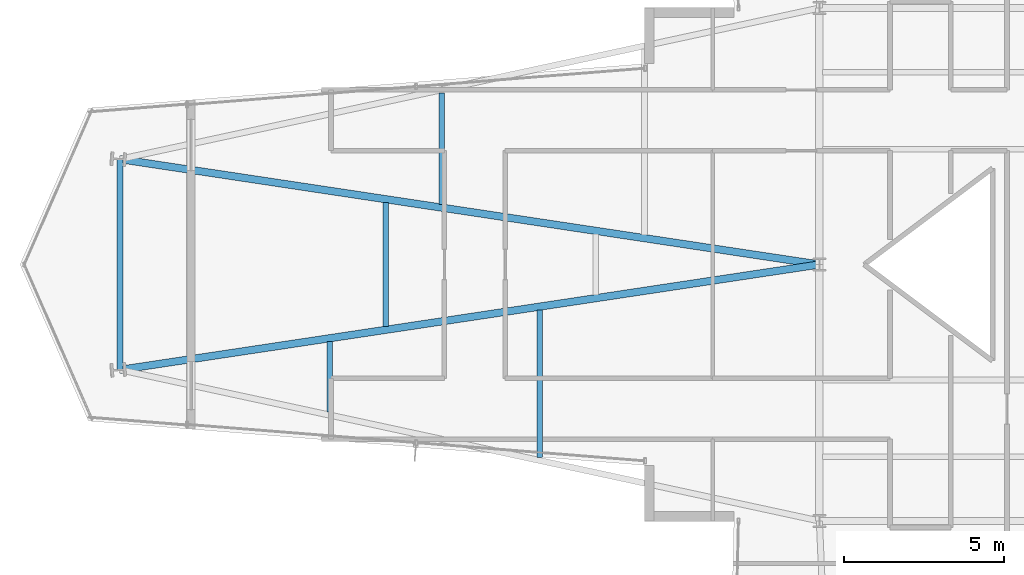
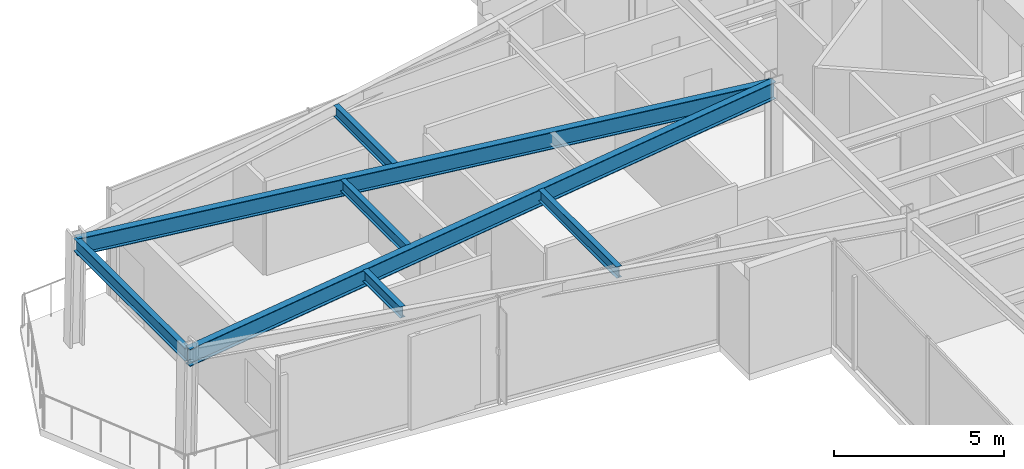
# One storey, part 6 of 27: 7 beams.
"""IFC4 building model written with IfcOpenShell, lengths in metres."""

import ifcopenshell
import ifcopenshell.guid

model = None  # the IFC model being written
_history = None  # IfcOwnerHistory: only IFC2X3 demands one
_inside = {}  # id of a spatial element -> (the spatial element, [elements in it])
_under = {}  # id of a project, library or spatial element -> (it, [spatial elements below it])
_declared = {}  # id of a project -> (the project, [libraries it declares])
_typed = {}  # id of a type object -> (the type object, [elements of that type])
_made_of = {}  # id of a material, layer set ... -> (it, [elements and type objects made of it])


def new_model(schema):
    """Start an empty IFC model of exactly this schema.

    Asked for "IFC4X3", IfcOpenShell would pick the latest addendum, in which some entities
    have other attributes; the version numbers below select the first issue.
    IFC2X3 requires an IfcOwnerHistory on every rooted entity: one is made here for all.
    """
    global model, _history
    if schema == "IFC4X3":
        model = ifcopenshell.file(schema_version=(4, 3, 0, 0))
    else:
        model = ifcopenshell.file(schema=schema)
    _inside.clear()
    _under.clear()
    _declared.clear()
    _typed.clear()
    _made_of.clear()
    _history = None
    if model.schema == "IFC2X3":
        org = make("IfcOrganization", Name="unknown")
        user = make(
            "IfcPersonAndOrganization",
            ThePerson=make("IfcPerson", FamilyName="unknown"),
            TheOrganization=org,
        )
        app = make(
            "IfcApplication",
            ApplicationDeveloper=org,
            Version="unknown",
            ApplicationFullName="unknown",
            ApplicationIdentifier="unknown",
        )
        _history = make(
            "IfcOwnerHistory",
            OwningUser=user,
            OwningApplication=app,
            ChangeAction="ADDED",
            CreationDate=0,
        )
    return model


def make(cls, **values):
    """One entity of the class cls with the attributes given. An attribute that is None is left unset."""
    return model.create_entity(
        cls, **{name: value for name, value in values.items() if value is not None}
    )


def rooted(cls, **values):
    """An entity with a GlobalId (a new one), such as an element, a storey or a relation."""
    return make(cls, GlobalId=ifcopenshell.guid.new(), OwnerHistory=_history, **values)


def si_unit(unit_type, name, prefix=None):
    """IfcSIUnit, for example si_unit("LENGTHUNIT", "METRE", prefix="MILLI")."""
    return make("IfcSIUnit", UnitType=unit_type, Prefix=prefix, Name=name)


def assignment(units):
    """IfcUnitAssignment: the units of a project."""
    return None if units is None else make("IfcUnitAssignment", Units=units)


def point(xyz):
    """IfcCartesianPoint."""
    return None if xyz is None else make("IfcCartesianPoint", Coordinates=xyz)


def direction(xyz):
    """IfcDirection."""
    return None if xyz is None else make("IfcDirection", DirectionRatios=xyz)


def frame(location, z_axis=None, x_axis=None):
    """IfcAxis2Placement3D, a coordinate frame: its origin and axes. An axis left out is left unset."""
    return make(
        "IfcAxis2Placement3D",
        Location=point(location),
        Axis=direction(z_axis),
        RefDirection=direction(x_axis),
    )


def frame_2d(location, x_axis=None):
    """IfcAxis2Placement2D, a coordinate frame in the plane: its origin and x axis."""
    return make(
        "IfcAxis2Placement2D", Location=point(location), RefDirection=direction(x_axis)
    )


def origin():
    """The frame at (0, 0, 0) with its axes left unset."""
    return frame((0.0, 0.0, 0.0))


def origin_2d():
    """The frame at (0, 0) in the plane with its x axis left unset."""
    return frame_2d((0.0, 0.0))


def place(relative_to, where):
    """IfcLocalPlacement: puts the frame where relative to a parent placement (None: the world)."""
    return make(
        "IfcLocalPlacement", PlacementRelTo=relative_to, RelativePlacement=where
    )


def context(
    kind, dimensions, precision=None, world=None, true_north=None, identifier=None
):
    """IfcGeometricRepresentationContext, for example the 3D "Model" context."""
    return make(
        "IfcGeometricRepresentationContext",
        ContextIdentifier=identifier,
        ContextType=kind,
        CoordinateSpaceDimension=dimensions,
        Precision=precision,
        WorldCoordinateSystem=world,
        TrueNorth=true_north,
    )


def subcontext(parent, identifier, kind, view, scale=None):
    """IfcGeometricRepresentationSubContext, for example "Body" below "Model"."""
    return make(
        "IfcGeometricRepresentationSubContext",
        ContextIdentifier=identifier,
        ContextType=kind,
        ParentContext=parent,
        TargetScale=scale,
        TargetView=view,
    )


def project(units=None, contexts=None):
    """IfcProject with its units and contexts."""
    return rooted(
        "IfcProject",
        Name="project",
        RepresentationContexts=contexts,
        UnitsInContext=assignment(units),
    )


def spatial(cls, under=None, at=None, **own):
    """A site, building, storey or space (cls), placed at a placement, below another one or the project."""
    s = rooted(cls, ObjectPlacement=at, **own)
    if under is not None:
        _under.setdefault(under.id(), (under, []))[1].append(s)
    return s


def profile(cls, at=None, kind="AREA", **sizes):
    """A parametric profile (cls). Its sizes go by their IFC names, for example OverallWidth=200.0."""
    return make(cls, ProfileType=kind, Position=at, **sizes)


def i_section(**sizes):
    """IfcIShapeProfileDef."""
    return profile("IfcIShapeProfileDef", **sizes)


def extrude(swept, where, along, depth):
    """IfcExtrudedAreaSolid: the profile swept, set in the frame where, extruded along a direction by depth."""
    return make(
        "IfcExtrudedAreaSolid",
        SweptArea=swept,
        Position=where,
        ExtrudedDirection=direction(along),
        Depth=depth,
    )


def shape(context_of_items, identifier, shape_type, items):
    """IfcShapeRepresentation: the items that make up one representation, for example the "Body"."""
    return make(
        "IfcShapeRepresentation",
        ContextOfItems=context_of_items,
        RepresentationIdentifier=identifier,
        RepresentationType=shape_type,
        Items=items,
    )


def material(Name=None, Category=None):
    """IfcMaterial."""
    return make("IfcMaterial", Name=Name, Category=Category)


def material_profile(
    of_material, cross_section, Name=None, Category=None, Priority=None
):
    """IfcMaterialProfile: a cross section and its material."""
    return make(
        "IfcMaterialProfile",
        Name=Name,
        Material=of_material,
        Profile=cross_section,
        Priority=Priority,
        Category=Category,
    )


def profile_set(profiles, Name=None, composite=None):
    """IfcMaterialProfileSet."""
    return make(
        "IfcMaterialProfileSet",
        Name=Name,
        MaterialProfiles=profiles,
        CompositeProfile=composite,
    )


def made_of(thing, what):
    """Note that an element or type object is made of a material, layer set ...; save() writes the relation."""
    if what is not None:
        _made_of.setdefault(what.id(), (what, []))[1].append(thing)
    return thing


def type_object(cls, material=None, **own):
    """A type object (cls), such as IfcWallType, which elements share."""
    return made_of(rooted(cls, **own), material)


def element(
    cls,
    number,
    at=None,
    inside=None,
    cuts=None,
    type_object=None,
    material=None,
    context=None,
    identifier="Body",
    shape_type=None,
    held_by="IfcProductDefinitionShape",
    body=None,
    shapes=None,
    **own,
):
    """One element of the class cls, such as IfcWall. Its Tag is "e" and its number.

    at: its placement. inside: the storey or other place that contains it. cuts: it is an
    opening in that element (IfcRelVoidsElement). A single representation is given by context,
    identifier, shape_type and body (its items); several are given by shapes. held_by: the class
    of the entity that holds the representations. save() writes the other relations.
    """
    e = rooted(cls, Tag="e%d" % number, ObjectPlacement=at, **own)
    if body is not None:
        shapes = [shape(context, identifier, shape_type, body)]
    if shapes is not None:
        e.Representation = make(held_by, Representations=shapes)
    if inside is not None:
        _inside.setdefault(inside.id(), (inside, []))[1].append(e)
    if cuts is not None:
        rooted(
            "IfcRelVoidsElement", RelatingBuildingElement=cuts, RelatedOpeningElement=e
        )
    if type_object is not None:
        _typed.setdefault(type_object.id(), (type_object, []))[1].append(e)
    return made_of(e, material)


def aggregate(whole, parts):
    """IfcRelAggregates: a whole, such as a stair, and the parts it consists of."""
    return rooted("IfcRelAggregates", RelatingObject=whole, RelatedObjects=parts)


def save(model, path):
    """Write the relations noted so far, then the file.

    IfcRelAggregates (storeys below a building ...), IfcRelContainedInSpatialStructure (elements
    in a storey), IfcRelDefinesByType, IfcRelAssociatesMaterial and IfcRelDeclares: one each for
    every whole, place, type object, material and project.
    """
    for whole, parts in _under.values():
        aggregate(whole, parts)
    for where, things in _inside.values():
        rooted(
            "IfcRelContainedInSpatialStructure",
            RelatedElements=things,
            RelatingStructure=where,
        )
    for kind, things in _typed.values():
        rooted("IfcRelDefinesByType", RelatedObjects=things, RelatingType=kind)
    for what, things in _made_of.values():
        rooted("IfcRelAssociatesMaterial", RelatedObjects=things, RelatingMaterial=what)
    for by, libraries in _declared.values():
        rooted("IfcRelDeclares", RelatingContext=by, RelatedDefinitions=libraries)
    model.write(path)


model = new_model("IFC4")

# Units and contexts
model_context = context("Model", 3, precision=1e-05, world=origin(), true_north=direction((0.0, 1.0)))
body_context = subcontext(model_context, "Body", "Model", "MODEL_VIEW")
ifc_project = project(units=[si_unit("LENGTHUNIT", "METRE"), si_unit("AREAUNIT", "SQUARE_METRE"), si_unit("VOLUMEUNIT", "CUBIC_METRE"), si_unit("PLANEANGLEUNIT", "RADIAN"), si_unit("MASSUNIT", "GRAM", prefix="KILO")], contexts=[model_context])

# Site, building, storey
site_placement = place(None, origin())
site = spatial("IfcSite", under=ifc_project, at=site_placement, CompositionType="ELEMENT")
building_placement = place(site_placement, origin())
building = spatial("IfcBuilding", under=site, at=building_placement, Name="Veymaron Broadcast Tower", CompositionType="ELEMENT")
storey_placement = place(building_placement, frame((0.0, 0.0, 86.39990234375)))
storey = spatial("IfcBuildingStorey", under=building, at=storey_placement, Name="L19", CompositionType="ELEMENT", Elevation=86.39990234375)

# Beams
ifc_material = material(Name="Structural steel ASTM A992 Gr 50", Category="steel")
ifc_material_profile_1 = material_profile(ifc_material, i_section(OverallWidth=0.22998046875, OverallDepth=0.616943359375, WebThickness=0.01318359375, FlangeThickness=0.022216796875, at=origin_2d()), Name="W610X140")
ifc_profile_set_1 = profile_set([ifc_material_profile_1], Name="Structural steel ASTM A992 Gr 50")
beam_type_1 = type_object("IfcBeamType", Name="BM-FG1", PredefinedType="BEAM", material=ifc_profile_set_1)
for number, where, z_axis, x_axis, name in (
    (1, (9.386962890625, 20.715087890625, 3.501708984375), (0.988849971854, 0.148915187824, 0.0), (-0.148915187824, 0.988849971854, 0.0), "L19 primary structural floor girder"),
    (2, (9.386962890625, 27.284912109375, 3.501708984375), (0.988849971854, -0.148915187824, 0.0), (0.148915187824, 0.988849971854, 0.0), "L19 primary structural floor girder"),
):
    element("IfcBeam", number, at=place(storey_placement, frame(where, z_axis=z_axis, x_axis=x_axis)), inside=storey, type_object=beam_type_1, Name=name, PredefinedType="BEAM", context=body_context, shape_type="SweptSolid", body=[
        extrude(i_section(OverallWidth=0.22998046875, OverallDepth=0.616943359375, WebThickness=0.01318359375, FlangeThickness=0.022216796875, at=origin_2d()), origin(), (0.0, 0.0, 1.0), 22.058837890625),
    ])
ifc_material_profile_2 = material_profile(ifc_material, i_section(OverallWidth=0.177978515625, OverallDepth=0.406982421875, WebThickness=0.0078125, FlangeThickness=0.0126953125, at=origin_2d()), Name="W410X60")
ifc_profile_set_2 = profile_set([ifc_material_profile_2], Name="Structural steel ASTM A992 Gr 50")
beam_type_2 = type_object("IfcBeamType", Name="BM-JS1", PredefinedType="JOIST", material=ifc_profile_set_2)
beam_1_placement = place(storey_placement, frame((15.930908203125, 19.400390625, 3.606689453125), z_axis=(0.0, 1.0, 0.0), x_axis=(-1.0, 0.0, 0.0)))
element("IfcBeam", 3, at=beam_1_placement, inside=storey, type_object=beam_type_2, Name="L19 Arm-A secondary joist 1S", PredefinedType="JOIST", context=body_context, shape_type="SweptSolid", body=[
    extrude(i_section(OverallWidth=0.177978515625, OverallDepth=0.406982421875, WebThickness=0.0078125, FlangeThickness=0.0126953125, at=origin_2d()), origin(), (0.0, 0.0, 1.0), 2.2001953125),
])
beam_2_placement = place(storey_placement, frame((17.67578125, 22.063232421875, 3.606689453125), z_axis=(0.0, 1.0, 0.0), x_axis=(-1.0, 0.0, 0.0)))
element("IfcBeam", 4, at=beam_2_placement, inside=storey, type_object=beam_type_2, Name="L19 Arm-A secondary joist 1M", PredefinedType="JOIST", context=body_context, shape_type="SweptSolid", body=[
    extrude(i_section(OverallWidth=0.177978515625, OverallDepth=0.406982421875, WebThickness=0.0078125, FlangeThickness=0.0126953125, at=origin_2d()), origin(), (0.0, 0.0, 1.0), 3.87353515625),
])
beam_3_placement = place(storey_placement, frame((19.4208984375, 25.873779296875, 3.606689453125), z_axis=(0.0, 1.0, 0.0), x_axis=(-1.0, 0.0, 0.0)))
element("IfcBeam", 5, at=beam_3_placement, inside=storey, type_object=beam_type_2, Name="L19 Arm-A secondary joist 1N", PredefinedType="JOIST", context=body_context, shape_type="SweptSolid", body=[
    extrude(i_section(OverallWidth=0.177978515625, OverallDepth=0.406982421875, WebThickness=0.0078125, FlangeThickness=0.0126953125, at=origin_2d()), origin(), (0.0, 0.0, 1.0), 3.480224609375),
])
beam_4_placement = place(storey_placement, frame((22.474853515625, 17.986083984375, 3.606689453125), z_axis=(0.0, 1.0, 0.0), x_axis=(-1.0, 0.0, 0.0)))
element("IfcBeam", 6, at=beam_4_placement, inside=storey, type_object=beam_type_2, Name="L19 Arm-A secondary joist 2S", PredefinedType="JOIST", context=body_context, shape_type="SweptSolid", body=[
    extrude(i_section(OverallWidth=0.177978515625, OverallDepth=0.406982421875, WebThickness=0.0078125, FlangeThickness=0.0126953125, at=origin_2d()), origin(), (0.0, 0.0, 1.0), 4.599853515625),
])
ifc_material_profile_3 = material_profile(ifc_material, i_section(OverallWidth=0.19091796875, OverallDepth=0.4599609375, WebThickness=0.010009765625, FlangeThickness=0.01611328125, at=origin_2d()), Name="W460X82")
ifc_profile_set_3 = profile_set([ifc_material_profile_3], Name="Structural steel ASTM A992 Gr 50")
beam_type_3 = type_object("IfcBeamType", Name="BM-SP1", PredefinedType="SPANDREL", material=ifc_profile_set_3)
beam_5_placement = place(storey_placement, frame((9.386962890625, 20.715087890625, 3.580078125), z_axis=(0.0, 1.0, 0.0), x_axis=(-1.0, 0.0, 0.0)))
element("IfcBeam", 7, at=beam_5_placement, inside=storey, type_object=beam_type_3, Name="L19 primary structural floor girder", PredefinedType="SPANDREL", context=body_context, shape_type="SweptSolid", body=[
    extrude(i_section(OverallWidth=0.19091796875, OverallDepth=0.4599609375, WebThickness=0.010009765625, FlangeThickness=0.01611328125, at=origin_2d()), origin(), (0.0, 0.0, 1.0), 6.56982421875),
])

save(model, "model.ifc")
